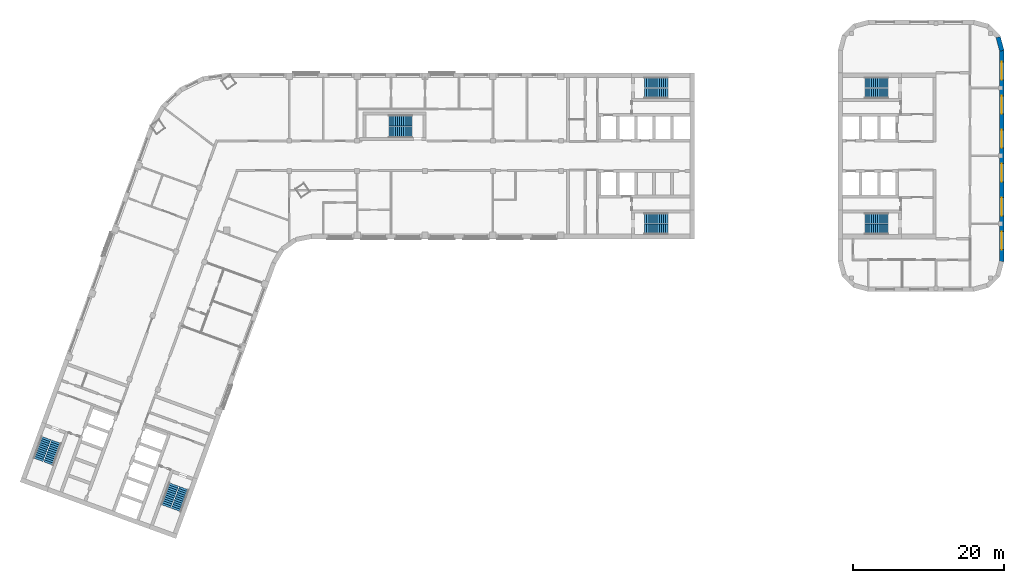
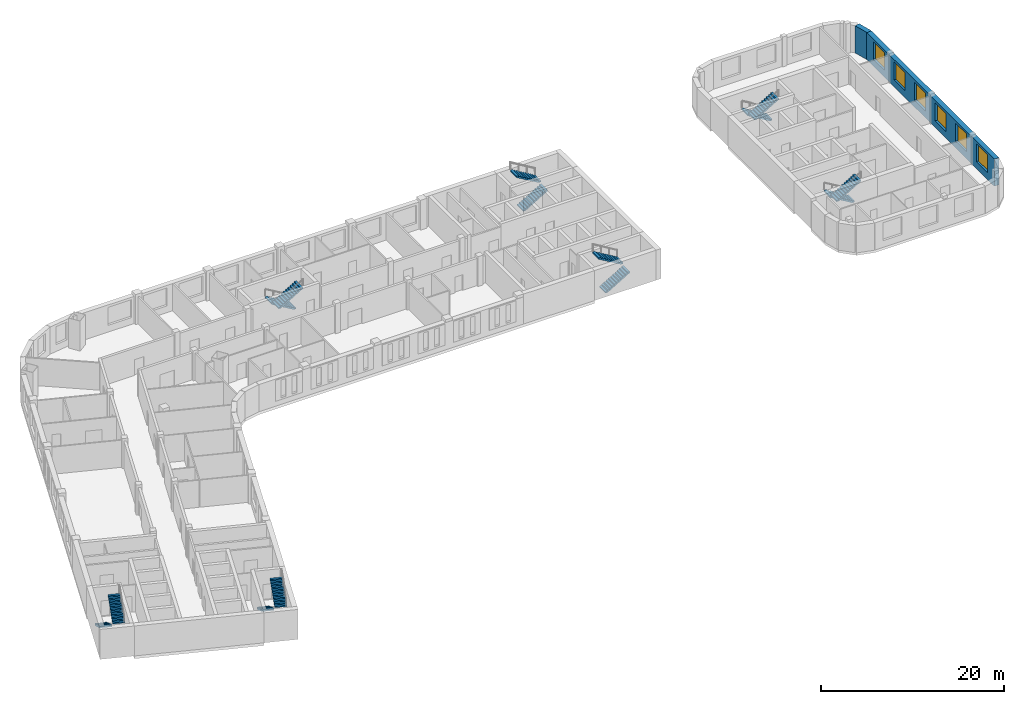
# One storey, part 9 of 10: 14 stair flights, 6 windows, 2 walls, 6 openings, 7 elements without a shape of their own.
"""IFC4 building model written with IfcOpenShell, lengths in metres."""

from ifc_helpers import new_model, si_unit, direction, frame, frame_2d, origin, place, context, subcontext, project, spatial, polyline, rectangle, outline, extrude, material, layer, layer_set, type_object, element, fill, aggregate, save


model = new_model("IFC4")

# Units and contexts
model_context = context("Model", 3, precision=1e-05, world=origin(), true_north=direction((0.0, 1.0)))
body_context = subcontext(model_context, "Body", "Model", "MODEL_VIEW")
ifc_project = project(units=[si_unit("LENGTHUNIT", "METRE"), si_unit("AREAUNIT", "SQUARE_METRE"), si_unit("VOLUMEUNIT", "CUBIC_METRE"), si_unit("PLANEANGLEUNIT", "RADIAN"), si_unit("MASSUNIT", "GRAM", prefix="KILO")], contexts=[model_context])

# Site, building, storey
site_placement = place(None, origin())
site = spatial("IfcSite", under=ifc_project, at=site_placement, CompositionType="ELEMENT")
building_placement = place(site_placement, origin())
building = spatial("IfcBuilding", under=site, at=building_placement, Name="Skarvind Civic Tower", CompositionType="ELEMENT")
storey_placement = place(building_placement, frame((0.0, 0.0, 101.0)))
storey = spatial("IfcBuildingStorey", under=building, at=storey_placement, Name="L23", CompositionType="ELEMENT", Elevation=101.0)

# Wall, openings, windows
ifc_material_1 = material(Name="Limestone masonry cladding on insulated backing", Category="masonry")
ifc_layer = layer(ifc_material_1, 0.60009765625)
ifc_layer_set = layer_set([ifc_layer], Name="WX1 STONE FACADE WALL 600")
wall_type = type_object("IfcWallType", Name="WX1 STONE FACADE WALL 600", PredefinedType="SOLIDWALL", material=ifc_layer_set)
wall_1_placement = place(storey_placement, frame((148.699951171875, 141.929931640625, 0.0), z_axis=(0.0, 0.0, 1.0), x_axis=(0.0, -1.0, 0.0)))
wall_1 = element("IfcWall", 1, at=wall_1_placement, inside=storey, type_object=wall_type, Name="STONE FACADE WALL", PredefinedType="SOLIDWALL", context=body_context, shape_type="SweptSolid", body=[
    extrude(rectangle(XDim=27.929931640625, YDim=0.60009765625, at=frame_2d((13.96484375, 0.0))), origin(), (0.0, 0.0, 1.0), 3.625),
])
opening_1_placement = place(wall_1_placement, frame((1.47998046875, 0.0, 0.89990234375)))
opening_1 = element("IfcOpeningElement", 2, at=opening_1_placement, cuts=wall_1, Name="Opening WN9", PredefinedType="OPENING", context=body_context, shape_type="SweptSolid", body=[
    extrude(rectangle(XDim=2.39990234375, YDim=2.39990234375, at=frame_2d((1.199951171875, 1.199951171875))), frame((0.0, 0.31005859375, 0.0), z_axis=(0.0, -1.0, 0.0), x_axis=(1.0, 0.0, 0.0)), (0.0, 0.0, 1.0), 0.6201171875),
])
opening_2_placement = place(wall_1_placement, frame((5.97998046875, 0.0, 0.89990234375)))
opening_2 = element("IfcOpeningElement", 3, at=opening_2_placement, cuts=wall_1, Name="Opening WN9", PredefinedType="OPENING", context=body_context, shape_type="SweptSolid", body=[
    extrude(rectangle(XDim=2.39990234375, YDim=2.39990234375, at=frame_2d((1.199951171875, 1.199951171875))), frame((0.0, 0.31005859375, 0.0), z_axis=(0.0, -1.0, 0.0), x_axis=(1.0, 0.0, 0.0)), (0.0, 0.0, 1.0), 0.6201171875),
])
opening_3_placement = place(wall_1_placement, frame((10.47998046875, 0.0, 0.89990234375)))
opening_3 = element("IfcOpeningElement", 4, at=opening_3_placement, cuts=wall_1, Name="Opening WN9", PredefinedType="OPENING", context=body_context, shape_type="SweptSolid", body=[
    extrude(rectangle(XDim=2.39990234375, YDim=2.39990234375, at=frame_2d((1.199951171875, 1.199951171875))), frame((0.0, 0.31005859375, 0.0), z_axis=(0.0, -1.0, 0.0), x_axis=(1.0, 0.0, 0.0)), (0.0, 0.0, 1.0), 0.6201171875),
])
opening_4_placement = place(wall_1_placement, frame((14.97998046875, 0.0, 0.89990234375)))
opening_4 = element("IfcOpeningElement", 5, at=opening_4_placement, cuts=wall_1, Name="Opening WN9", PredefinedType="OPENING", context=body_context, shape_type="SweptSolid", body=[
    extrude(rectangle(XDim=2.39990234375, YDim=2.39990234375, at=frame_2d((1.199951171875, 1.199951171875))), frame((0.0, 0.31005859375, 0.0), z_axis=(0.0, -1.0, 0.0), x_axis=(1.0, 0.0, 0.0)), (0.0, 0.0, 1.0), 0.6201171875),
])
opening_5_placement = place(wall_1_placement, frame((19.47998046875, 0.0, 0.89990234375)))
opening_5 = element("IfcOpeningElement", 6, at=opening_5_placement, cuts=wall_1, Name="Opening WN9", PredefinedType="OPENING", context=body_context, shape_type="SweptSolid", body=[
    extrude(rectangle(XDim=2.39990234375, YDim=2.39990234375, at=frame_2d((1.199951171875, 1.199951171875))), frame((0.0, 0.31005859375, 0.0), z_axis=(0.0, -1.0, 0.0), x_axis=(1.0, 0.0, 0.0)), (0.0, 0.0, 1.0), 0.6201171875),
])
opening_6_placement = place(wall_1_placement, frame((23.97998046875, 0.0, 0.89990234375)))
opening_6 = element("IfcOpeningElement", 7, at=opening_6_placement, cuts=wall_1, Name="Opening WN9", PredefinedType="OPENING", context=body_context, shape_type="SweptSolid", body=[
    extrude(rectangle(XDim=2.39990234375, YDim=2.39990234375, at=frame_2d((1.199951171875, 1.199951171875))), frame((0.0, 0.31005859375, 0.0), z_axis=(0.0, -1.0, 0.0), x_axis=(1.0, 0.0, 0.0)), (0.0, 0.0, 1.0), 0.6201171875),
])
ifc_material_2 = material(Name="Timber frame, double glazing, timber-lined reveal", Category="wood")
window_type = type_object("IfcWindowType", Name="WN9 COMPANION TOWER WINDOW 2400 x 2400", PartitioningType="SINGLE_PANEL", PredefinedType="WINDOW", material=ifc_material_2)
window_1_placement = place(opening_1_placement, origin())
window_1 = element("IfcWindow", 8, at=window_1_placement, inside=storey, type_object=window_type, Name="WN9 WINDOW", OverallHeight=2.39990234375, OverallWidth=2.39990234375, PartitioningType="SINGLE_PANEL", PredefinedType="WINDOW", context=body_context, shape_type="SweptSolid", body=[
    extrude(rectangle(XDim=2.39990234375, YDim=2.39990234375, at=frame_2d((1.199951171875, 1.199951171875))), frame((0.0, 0.030029296875, 0.0), z_axis=(0.0, -1.0, 0.0), x_axis=(1.0, 0.0, 0.0)), (0.0, 0.0, 1.0), 0.06005859375),
])
fill(opening_1, window_1)
window_2_placement = place(opening_2_placement, origin())
window_2 = element("IfcWindow", 9, at=window_2_placement, inside=storey, type_object=window_type, Name="WN9 WINDOW", OverallHeight=2.39990234375, OverallWidth=2.39990234375, PartitioningType="SINGLE_PANEL", PredefinedType="WINDOW", context=body_context, shape_type="SweptSolid", body=[
    extrude(rectangle(XDim=2.39990234375, YDim=2.39990234375, at=frame_2d((1.199951171875, 1.199951171875))), frame((0.0, 0.030029296875, 0.0), z_axis=(0.0, -1.0, 0.0), x_axis=(1.0, 0.0, 0.0)), (0.0, 0.0, 1.0), 0.06005859375),
])
fill(opening_2, window_2)
window_3_placement = place(opening_3_placement, origin())
window_3 = element("IfcWindow", 10, at=window_3_placement, inside=storey, type_object=window_type, Name="WN9 WINDOW", OverallHeight=2.39990234375, OverallWidth=2.39990234375, PartitioningType="SINGLE_PANEL", PredefinedType="WINDOW", context=body_context, shape_type="SweptSolid", body=[
    extrude(rectangle(XDim=2.39990234375, YDim=2.39990234375, at=frame_2d((1.199951171875, 1.199951171875))), frame((0.0, 0.030029296875, 0.0), z_axis=(0.0, -1.0, 0.0), x_axis=(1.0, 0.0, 0.0)), (0.0, 0.0, 1.0), 0.06005859375),
])
fill(opening_3, window_3)
window_4_placement = place(opening_4_placement, origin())
window_4 = element("IfcWindow", 11, at=window_4_placement, inside=storey, type_object=window_type, Name="WN9 WINDOW", OverallHeight=2.39990234375, OverallWidth=2.39990234375, PartitioningType="SINGLE_PANEL", PredefinedType="WINDOW", context=body_context, shape_type="SweptSolid", body=[
    extrude(rectangle(XDim=2.39990234375, YDim=2.39990234375, at=frame_2d((1.199951171875, 1.199951171875))), frame((0.0, 0.030029296875, 0.0), z_axis=(0.0, -1.0, 0.0), x_axis=(1.0, 0.0, 0.0)), (0.0, 0.0, 1.0), 0.06005859375),
])
fill(opening_4, window_4)
window_5_placement = place(opening_5_placement, origin())
window_5 = element("IfcWindow", 12, at=window_5_placement, inside=storey, type_object=window_type, Name="WN9 WINDOW", OverallHeight=2.39990234375, OverallWidth=2.39990234375, PartitioningType="SINGLE_PANEL", PredefinedType="WINDOW", context=body_context, shape_type="SweptSolid", body=[
    extrude(rectangle(XDim=2.39990234375, YDim=2.39990234375, at=frame_2d((1.199951171875, 1.199951171875))), frame((0.0, 0.030029296875, 0.0), z_axis=(0.0, -1.0, 0.0), x_axis=(1.0, 0.0, 0.0)), (0.0, 0.0, 1.0), 0.06005859375),
])
fill(opening_5, window_5)
window_6_placement = place(opening_6_placement, origin())
window_6 = element("IfcWindow", 13, at=window_6_placement, inside=storey, type_object=window_type, Name="WN9 WINDOW", OverallHeight=2.39990234375, OverallWidth=2.39990234375, PartitioningType="SINGLE_PANEL", PredefinedType="WINDOW", context=body_context, shape_type="SweptSolid", body=[
    extrude(rectangle(XDim=2.39990234375, YDim=2.39990234375, at=frame_2d((1.199951171875, 1.199951171875))), frame((0.0, 0.030029296875, 0.0), z_axis=(0.0, -1.0, 0.0), x_axis=(1.0, 0.0, 0.0)), (0.0, 0.0, 1.0), 0.06005859375),
])
fill(opening_6, window_6)

# Wall
wall_2_placement = place(storey_placement, frame((148.228759765625, 143.719482421875, 0.0), z_axis=(0.0, 0.0, 1.0), x_axis=(0.258773254036, -0.965938094805, 0.0)))
element("IfcWall", 14, at=wall_2_placement, inside=storey, type_object=wall_type, Name="STONE FACADE WALL", PredefinedType="SOLIDWALL", context=body_context, shape_type="SweptSolid", body=[
    extrude(rectangle(XDim=1.860595703125, YDim=0.60009765625, at=frame_2d((0.93017578125, 0.0))), origin(), (0.0, 0.0, 1.0), 3.625),
])

# Stair, stair flights
ifc_material_3 = material(Name="Concrete C40/50", Category="concrete")
stair_type_1 = type_object("IfcStairType", Name="Exit stair 1450, half-turn, concrete", PredefinedType="HALF_TURN_STAIR", material=ifc_material_3)
stair_1_placement = place(storey_placement, origin())
stair_1 = element("IfcStair", 15, at=stair_1_placement, inside=storey, type_object=stair_type_1, Name="Exit stair CM", PredefinedType="HALF_TURN_STAIR")
stair_flight_type_1 = type_object("IfcStairFlightType", Name="Stair flight 1450, concrete", PredefinedType="STRAIGHT", material=ifc_material_3)
stair_flight_1_placement = place(storey_placement, frame((70.550048828125, 132.675048828125, 0.0), z_axis=(0.0, 0.0, 1.0), x_axis=(-1.0, 0.0, 0.0)))
stair_flight_1 = element("IfcStairFlight", 16, at=stair_flight_1_placement, type_object=stair_flight_type_1, Name="ST-CM flight 1", NumberOfRisers=12, NumberOfTreads=11, PredefinedType="STRAIGHT", RiserHeight=0.166666667, TreadLength=0.28, context=body_context, shape_type="SweptSolid", body=[
    extrude(outline(polyline([(0.0, 0.0), (0.0, 0.166748046875), (0.280029296875, 0.166748046875), (0.280029296875, 0.333251953125), (0.56005859375, 0.333251953125), (0.56005859375, 0.5), (0.840087890625, 0.5), (0.840087890625, 0.666748046875), (1.1201171875, 0.666748046875), (1.1201171875, 0.833251953125), (1.39990234375, 0.833251953125), (1.39990234375, 1.0), (1.679931640625, 1.0), (1.679931640625, 1.166748046875), (1.9599609375, 1.166748046875), (1.9599609375, 1.333251953125), (2.239990234375, 1.333251953125), (2.239990234375, 1.5), (2.52001953125, 1.5), (2.52001953125, 1.666748046875), (2.800048828125, 1.666748046875), (2.800048828125, 1.833251953125), (3.080078125, 1.833251953125), (3.080078125, 2.0), (3.080078125, 1.658935546875), (0.29296875, 0.0), (0.0, 0.0)])), frame((0.0, 0.72509765625, 0.0), z_axis=(0.0, -1.0, 0.0), x_axis=(1.0, 0.0, 0.0)), (0.0, 0.0, 1.0), 1.449951171875),
])
stair_flight_2_placement = place(storey_placement, frame((67.469970703125, 131.125, 2.0), z_axis=(0.0, 0.0, 1.0), x_axis=(1.0, 0.0, 0.0)))
stair_flight_2 = element("IfcStairFlight", 17, at=stair_flight_2_placement, type_object=stair_flight_type_1, Name="ST-CM flight 2", NumberOfRisers=12, NumberOfTreads=11, PredefinedType="STRAIGHT", RiserHeight=0.166666667, TreadLength=0.28, context=body_context, shape_type="SweptSolid", body=[
    extrude(outline(polyline([(0.0, 0.0), (0.0, 0.166748046875), (0.280029296875, 0.166748046875), (0.280029296875, 0.333251953125), (0.56005859375, 0.333251953125), (0.56005859375, 0.5), (0.840087890625, 0.5), (0.840087890625, 0.666748046875), (1.1201171875, 0.666748046875), (1.1201171875, 0.833251953125), (1.39990234375, 0.833251953125), (1.39990234375, 1.0), (1.679931640625, 1.0), (1.679931640625, 1.166748046875), (1.9599609375, 1.166748046875), (1.9599609375, 1.333251953125), (2.239990234375, 1.333251953125), (2.239990234375, 1.5), (2.52001953125, 1.5), (2.52001953125, 1.666748046875), (2.800048828125, 1.666748046875), (2.800048828125, 1.833251953125), (3.080078125, 1.833251953125), (3.080078125, 2.0), (3.080078125, 1.658935546875), (0.29296875, 0.0), (0.0, 0.0)])), frame((0.0, 0.72509765625, 0.0), z_axis=(0.0, -1.0, 0.0), x_axis=(1.0, 0.0, 0.0)), (0.0, 0.0, 1.0), 1.449951171875),
])
aggregate(stair_1, [stair_flight_1, stair_flight_2])

stair_type_2 = type_object("IfcStairType", Name="Exit stair, half-turn, concrete", PredefinedType="HALF_TURN_STAIR", material=ifc_material_3)
stair_2_placement = place(storey_placement, origin())
stair_2 = element("IfcStair", 18, at=stair_2_placement, inside=storey, type_object=stair_type_2, Name="Exit stair C1S", PredefinedType="HALF_TURN_STAIR")
stair_flight_type_2 = type_object("IfcStairFlightType", Name="Stair flight, concrete", PredefinedType="STRAIGHT", material=ifc_material_3)
stair_flight_3_placement = place(storey_placement, frame((101.35009765625, 136.27490234375, 0.0), z_axis=(0.0, 0.0, 1.0), x_axis=(1.0, 0.0, 0.0)))
stair_flight_3 = element("IfcStairFlight", 19, at=stair_flight_3_placement, type_object=stair_flight_type_2, Name="ST-C1S flight 1", NumberOfRisers=12, NumberOfTreads=11, PredefinedType="STRAIGHT", RiserHeight=0.166666667, TreadLength=0.28, context=body_context, shape_type="SweptSolid", body=[
    extrude(outline(polyline([(0.0, 0.0), (0.0, 0.166748046875), (0.280029296875, 0.166748046875), (0.280029296875, 0.333251953125), (0.56005859375, 0.333251953125), (0.56005859375, 0.5), (0.840087890625, 0.5), (0.840087890625, 0.666748046875), (1.1201171875, 0.666748046875), (1.1201171875, 0.833251953125), (1.39990234375, 0.833251953125), (1.39990234375, 1.0), (1.679931640625, 1.0), (1.679931640625, 1.166748046875), (1.9599609375, 1.166748046875), (1.9599609375, 1.333251953125), (2.239990234375, 1.333251953125), (2.239990234375, 1.5), (2.52001953125, 1.5), (2.52001953125, 1.666748046875), (2.800048828125, 1.666748046875), (2.800048828125, 1.833251953125), (3.080078125, 1.833251953125), (3.080078125, 2.0), (3.080078125, 1.658935546875), (0.29296875, 0.0), (0.0, 0.0)])), frame((0.0, 0.675048828125, 0.0), z_axis=(0.0, -1.0, 0.0), x_axis=(1.0, 0.0, 0.0)), (0.0, 0.0, 1.0), 1.35009765625),
])
stair_flight_4_placement = place(storey_placement, frame((104.429931640625, 137.72509765625, 2.0), z_axis=(0.0, 0.0, 1.0), x_axis=(-1.0, 0.0, 0.0)))
stair_flight_4 = element("IfcStairFlight", 20, at=stair_flight_4_placement, type_object=stair_flight_type_2, Name="ST-C1S flight 2", NumberOfRisers=12, NumberOfTreads=11, PredefinedType="STRAIGHT", RiserHeight=0.166666667, TreadLength=0.28, context=body_context, shape_type="SweptSolid", body=[
    extrude(outline(polyline([(0.0, 0.0), (0.0, 0.166748046875), (0.280029296875, 0.166748046875), (0.280029296875, 0.333251953125), (0.56005859375, 0.333251953125), (0.56005859375, 0.5), (0.840087890625, 0.5), (0.840087890625, 0.666748046875), (1.1201171875, 0.666748046875), (1.1201171875, 0.833251953125), (1.39990234375, 0.833251953125), (1.39990234375, 1.0), (1.679931640625, 1.0), (1.679931640625, 1.166748046875), (1.9599609375, 1.166748046875), (1.9599609375, 1.333251953125), (2.239990234375, 1.333251953125), (2.239990234375, 1.5), (2.52001953125, 1.5), (2.52001953125, 1.666748046875), (2.800048828125, 1.666748046875), (2.800048828125, 1.833251953125), (3.080078125, 1.833251953125), (3.080078125, 2.0), (3.080078125, 1.658935546875), (0.29296875, 0.0), (0.0, 0.0)])), frame((0.0, 0.675048828125, 0.0), z_axis=(0.0, -1.0, 0.0), x_axis=(1.0, 0.0, 0.0)), (0.0, 0.0, 1.0), 1.35009765625),
])
aggregate(stair_2, [stair_flight_3, stair_flight_4])

stair_3_placement = place(storey_placement, origin())
stair_3 = element("IfcStair", 21, at=stair_3_placement, inside=storey, type_object=stair_type_2, Name="Exit stair C1N", PredefinedType="HALF_TURN_STAIR")
stair_flight_5_placement = place(storey_placement, frame((101.35009765625, 118.27490234375, 0.0), z_axis=(0.0, 0.0, 1.0), x_axis=(1.0, 0.0, 0.0)))
stair_flight_5 = element("IfcStairFlight", 22, at=stair_flight_5_placement, type_object=stair_flight_type_2, Name="ST-C1N flight 1", NumberOfRisers=12, NumberOfTreads=11, PredefinedType="STRAIGHT", RiserHeight=0.166666667, TreadLength=0.28, context=body_context, shape_type="SweptSolid", body=[
    extrude(outline(polyline([(0.0, 0.0), (0.0, 0.166748046875), (0.280029296875, 0.166748046875), (0.280029296875, 0.333251953125), (0.56005859375, 0.333251953125), (0.56005859375, 0.5), (0.840087890625, 0.5), (0.840087890625, 0.666748046875), (1.1201171875, 0.666748046875), (1.1201171875, 0.833251953125), (1.39990234375, 0.833251953125), (1.39990234375, 1.0), (1.679931640625, 1.0), (1.679931640625, 1.166748046875), (1.9599609375, 1.166748046875), (1.9599609375, 1.333251953125), (2.239990234375, 1.333251953125), (2.239990234375, 1.5), (2.52001953125, 1.5), (2.52001953125, 1.666748046875), (2.800048828125, 1.666748046875), (2.800048828125, 1.833251953125), (3.080078125, 1.833251953125), (3.080078125, 2.0), (3.080078125, 1.658935546875), (0.29296875, 0.0), (0.0, 0.0)])), frame((0.0, 0.675048828125, 0.0), z_axis=(0.0, -1.0, 0.0), x_axis=(1.0, 0.0, 0.0)), (0.0, 0.0, 1.0), 1.35009765625),
])
stair_flight_6_placement = place(storey_placement, frame((104.429931640625, 119.72509765625, 2.0), z_axis=(0.0, 0.0, 1.0), x_axis=(-1.0, 0.0, 0.0)))
stair_flight_6 = element("IfcStairFlight", 23, at=stair_flight_6_placement, type_object=stair_flight_type_2, Name="ST-C1N flight 2", NumberOfRisers=12, NumberOfTreads=11, PredefinedType="STRAIGHT", RiserHeight=0.166666667, TreadLength=0.28, context=body_context, shape_type="SweptSolid", body=[
    extrude(outline(polyline([(0.0, 0.0), (0.0, 0.166748046875), (0.280029296875, 0.166748046875), (0.280029296875, 0.333251953125), (0.56005859375, 0.333251953125), (0.56005859375, 0.5), (0.840087890625, 0.5), (0.840087890625, 0.666748046875), (1.1201171875, 0.666748046875), (1.1201171875, 0.833251953125), (1.39990234375, 0.833251953125), (1.39990234375, 1.0), (1.679931640625, 1.0), (1.679931640625, 1.166748046875), (1.9599609375, 1.166748046875), (1.9599609375, 1.333251953125), (2.239990234375, 1.333251953125), (2.239990234375, 1.5), (2.52001953125, 1.5), (2.52001953125, 1.666748046875), (2.800048828125, 1.666748046875), (2.800048828125, 1.833251953125), (3.080078125, 1.833251953125), (3.080078125, 2.0), (3.080078125, 1.658935546875), (0.29296875, 0.0), (0.0, 0.0)])), frame((0.0, 0.675048828125, 0.0), z_axis=(0.0, -1.0, 0.0), x_axis=(1.0, 0.0, 0.0)), (0.0, 0.0, 1.0), 1.35009765625),
])
aggregate(stair_3, [stair_flight_5, stair_flight_6])

stair_4_placement = place(storey_placement, origin())
stair_4 = element("IfcStair", 24, at=stair_4_placement, inside=storey, type_object=stair_type_2, Name="Exit stair C2S", PredefinedType="HALF_TURN_STAIR")
stair_flight_7_placement = place(storey_placement, frame((38.949462890625, 84.43408203125, 0.0), z_axis=(0.0, 0.0, 1.0), x_axis=(-0.342020143326, -0.939692620786, 0.0)))
stair_flight_7 = element("IfcStairFlight", 25, at=stair_flight_7_placement, type_object=stair_flight_type_2, Name="ST-C2S flight 1", NumberOfRisers=12, NumberOfTreads=11, PredefinedType="STRAIGHT", RiserHeight=0.166666667, TreadLength=0.28, context=body_context, shape_type="SweptSolid", body=[
    extrude(outline(polyline([(0.0, 0.0), (0.0, 0.166748046875), (0.280029296875, 0.166748046875), (0.280029296875, 0.333251953125), (0.56005859375, 0.333251953125), (0.56005859375, 0.5), (0.840087890625, 0.5), (0.840087890625, 0.666748046875), (1.1201171875, 0.666748046875), (1.1201171875, 0.833251953125), (1.39990234375, 0.833251953125), (1.39990234375, 1.0), (1.679931640625, 1.0), (1.679931640625, 1.166748046875), (1.9599609375, 1.166748046875), (1.9599609375, 1.333251953125), (2.239990234375, 1.333251953125), (2.239990234375, 1.5), (2.52001953125, 1.5), (2.52001953125, 1.666748046875), (2.800048828125, 1.666748046875), (2.800048828125, 1.833251953125), (3.080078125, 1.833251953125), (3.080078125, 2.0), (3.080078125, 1.658935546875), (0.29296875, 0.0), (0.0, 0.0)])), frame((0.0, 0.675048828125, 0.0), z_axis=(0.0, -1.0, 0.0), x_axis=(1.0, 0.0, 0.0)), (0.0, 0.0, 1.0), 1.35009765625),
])
stair_flight_8_placement = place(storey_placement, frame((39.258544921875, 81.0439453125, 2.0), z_axis=(0.0, 0.0, 1.0), x_axis=(0.342020143326, 0.939692620786, 0.0)))
stair_flight_8 = element("IfcStairFlight", 26, at=stair_flight_8_placement, type_object=stair_flight_type_2, Name="ST-C2S flight 2", NumberOfRisers=12, NumberOfTreads=11, PredefinedType="STRAIGHT", RiserHeight=0.166666667, TreadLength=0.28, context=body_context, shape_type="SweptSolid", body=[
    extrude(outline(polyline([(0.0, 0.0), (0.0, 0.166748046875), (0.280029296875, 0.166748046875), (0.280029296875, 0.333251953125), (0.56005859375, 0.333251953125), (0.56005859375, 0.5), (0.840087890625, 0.5), (0.840087890625, 0.666748046875), (1.1201171875, 0.666748046875), (1.1201171875, 0.833251953125), (1.39990234375, 0.833251953125), (1.39990234375, 1.0), (1.679931640625, 1.0), (1.679931640625, 1.166748046875), (1.9599609375, 1.166748046875), (1.9599609375, 1.333251953125), (2.239990234375, 1.333251953125), (2.239990234375, 1.5), (2.52001953125, 1.5), (2.52001953125, 1.666748046875), (2.800048828125, 1.666748046875), (2.800048828125, 1.833251953125), (3.080078125, 1.833251953125), (3.080078125, 2.0), (3.080078125, 1.658935546875), (0.29296875, 0.0), (0.0, 0.0)])), frame((0.0, 0.675048828125, 0.0), z_axis=(0.0, -1.0, 0.0), x_axis=(1.0, 0.0, 0.0)), (0.0, 0.0, 1.0), 1.35009765625),
])
aggregate(stair_4, [stair_flight_7, stair_flight_8])

stair_5_placement = place(storey_placement, origin())
stair_5 = element("IfcStair", 27, at=stair_5_placement, inside=storey, type_object=stair_type_2, Name="Exit stair C2N", PredefinedType="HALF_TURN_STAIR")
stair_flight_9_placement = place(storey_placement, frame((22.034912109375, 90.590576171875, 0.0), z_axis=(0.0, 0.0, 1.0), x_axis=(-0.342020143326, -0.939692620786, 0.0)))
stair_flight_9 = element("IfcStairFlight", 28, at=stair_flight_9_placement, type_object=stair_flight_type_2, Name="ST-C2N flight 1", NumberOfRisers=12, NumberOfTreads=11, PredefinedType="STRAIGHT", RiserHeight=0.166666667, TreadLength=0.28, context=body_context, shape_type="SweptSolid", body=[
    extrude(outline(polyline([(0.0, 0.0), (0.0, 0.166748046875), (0.280029296875, 0.166748046875), (0.280029296875, 0.333251953125), (0.56005859375, 0.333251953125), (0.56005859375, 0.5), (0.840087890625, 0.5), (0.840087890625, 0.666748046875), (1.1201171875, 0.666748046875), (1.1201171875, 0.833251953125), (1.39990234375, 0.833251953125), (1.39990234375, 1.0), (1.679931640625, 1.0), (1.679931640625, 1.166748046875), (1.9599609375, 1.166748046875), (1.9599609375, 1.333251953125), (2.239990234375, 1.333251953125), (2.239990234375, 1.5), (2.52001953125, 1.5), (2.52001953125, 1.666748046875), (2.800048828125, 1.666748046875), (2.800048828125, 1.833251953125), (3.080078125, 1.833251953125), (3.080078125, 2.0), (3.080078125, 1.658935546875), (0.29296875, 0.0), (0.0, 0.0)])), frame((0.0, 0.675048828125, 0.0), z_axis=(0.0, -1.0, 0.0), x_axis=(1.0, 0.0, 0.0)), (0.0, 0.0, 1.0), 1.35009765625),
])
stair_flight_10_placement = place(storey_placement, frame((22.343994140625, 87.2001953125, 2.0), z_axis=(0.0, 0.0, 1.0), x_axis=(0.342020143326, 0.939692620786, 0.0)))
stair_flight_10 = element("IfcStairFlight", 29, at=stair_flight_10_placement, type_object=stair_flight_type_2, Name="ST-C2N flight 2", NumberOfRisers=12, NumberOfTreads=11, PredefinedType="STRAIGHT", RiserHeight=0.166666667, TreadLength=0.28, context=body_context, shape_type="SweptSolid", body=[
    extrude(outline(polyline([(0.0, 0.0), (0.0, 0.166748046875), (0.280029296875, 0.166748046875), (0.280029296875, 0.333251953125), (0.56005859375, 0.333251953125), (0.56005859375, 0.5), (0.840087890625, 0.5), (0.840087890625, 0.666748046875), (1.1201171875, 0.666748046875), (1.1201171875, 0.833251953125), (1.39990234375, 0.833251953125), (1.39990234375, 1.0), (1.679931640625, 1.0), (1.679931640625, 1.166748046875), (1.9599609375, 1.166748046875), (1.9599609375, 1.333251953125), (2.239990234375, 1.333251953125), (2.239990234375, 1.5), (2.52001953125, 1.5), (2.52001953125, 1.666748046875), (2.800048828125, 1.666748046875), (2.800048828125, 1.833251953125), (3.080078125, 1.833251953125), (3.080078125, 2.0), (3.080078125, 1.658935546875), (0.29296875, 0.0), (0.0, 0.0)])), frame((0.0, 0.675048828125, 0.0), z_axis=(0.0, -1.0, 0.0), x_axis=(1.0, 0.0, 0.0)), (0.0, 0.0, 1.0), 1.35009765625),
])
aggregate(stair_5, [stair_flight_9, stair_flight_10])

stair_6_placement = place(storey_placement, origin())
stair_6 = element("IfcStair", 30, at=stair_6_placement, inside=storey, type_object=stair_type_2, Name="Exit stair CAS", PredefinedType="HALF_TURN_STAIR")
stair_flight_11_placement = place(storey_placement, frame((133.64990234375, 119.72509765625, 0.0), z_axis=(0.0, 0.0, 1.0), x_axis=(-1.0, 0.0, 0.0)))
stair_flight_11 = element("IfcStairFlight", 31, at=stair_flight_11_placement, type_object=stair_flight_type_2, Name="ST-CAS flight 1", NumberOfRisers=12, NumberOfTreads=11, PredefinedType="STRAIGHT", RiserHeight=0.166666667, TreadLength=0.28, context=body_context, shape_type="SweptSolid", body=[
    extrude(outline(polyline([(0.0, 0.0), (0.0, 0.166748046875), (0.280029296875, 0.166748046875), (0.280029296875, 0.333251953125), (0.56005859375, 0.333251953125), (0.56005859375, 0.5), (0.840087890625, 0.5), (0.840087890625, 0.666748046875), (1.1201171875, 0.666748046875), (1.1201171875, 0.833251953125), (1.39990234375, 0.833251953125), (1.39990234375, 1.0), (1.679931640625, 1.0), (1.679931640625, 1.166748046875), (1.9599609375, 1.166748046875), (1.9599609375, 1.333251953125), (2.239990234375, 1.333251953125), (2.239990234375, 1.5), (2.52001953125, 1.5), (2.52001953125, 1.666748046875), (2.800048828125, 1.666748046875), (2.800048828125, 1.833251953125), (3.080078125, 1.833251953125), (3.080078125, 2.0), (3.080078125, 1.658935546875), (0.29296875, 0.0), (0.0, 0.0)])), frame((0.0, 0.675048828125, 0.0), z_axis=(0.0, -1.0, 0.0), x_axis=(1.0, 0.0, 0.0)), (0.0, 0.0, 1.0), 1.35009765625),
])
stair_flight_12_placement = place(storey_placement, frame((130.570068359375, 118.27490234375, 2.0), z_axis=(0.0, 0.0, 1.0), x_axis=(1.0, 0.0, 0.0)))
stair_flight_12 = element("IfcStairFlight", 32, at=stair_flight_12_placement, type_object=stair_flight_type_2, Name="ST-CAS flight 2", NumberOfRisers=12, NumberOfTreads=11, PredefinedType="STRAIGHT", RiserHeight=0.166666667, TreadLength=0.28, context=body_context, shape_type="SweptSolid", body=[
    extrude(outline(polyline([(0.0, 0.0), (0.0, 0.166748046875), (0.280029296875, 0.166748046875), (0.280029296875, 0.333251953125), (0.56005859375, 0.333251953125), (0.56005859375, 0.5), (0.840087890625, 0.5), (0.840087890625, 0.666748046875), (1.1201171875, 0.666748046875), (1.1201171875, 0.833251953125), (1.39990234375, 0.833251953125), (1.39990234375, 1.0), (1.679931640625, 1.0), (1.679931640625, 1.166748046875), (1.9599609375, 1.166748046875), (1.9599609375, 1.333251953125), (2.239990234375, 1.333251953125), (2.239990234375, 1.5), (2.52001953125, 1.5), (2.52001953125, 1.666748046875), (2.800048828125, 1.666748046875), (2.800048828125, 1.833251953125), (3.080078125, 1.833251953125), (3.080078125, 2.0), (3.080078125, 1.658935546875), (0.29296875, 0.0), (0.0, 0.0)])), frame((0.0, 0.675048828125, 0.0), z_axis=(0.0, -1.0, 0.0), x_axis=(1.0, 0.0, 0.0)), (0.0, 0.0, 1.0), 1.35009765625),
])
aggregate(stair_6, [stair_flight_11, stair_flight_12])

stair_7_placement = place(storey_placement, origin())
stair_7 = element("IfcStair", 33, at=stair_7_placement, inside=storey, type_object=stair_type_2, Name="Exit stair CAN", PredefinedType="HALF_TURN_STAIR")
stair_flight_13_placement = place(storey_placement, frame((133.64990234375, 137.72509765625, 0.0), z_axis=(0.0, 0.0, 1.0), x_axis=(-1.0, 0.0, 0.0)))
stair_flight_13 = element("IfcStairFlight", 34, at=stair_flight_13_placement, type_object=stair_flight_type_2, Name="ST-CAN flight 1", NumberOfRisers=12, NumberOfTreads=11, PredefinedType="STRAIGHT", RiserHeight=0.166666667, TreadLength=0.28, context=body_context, shape_type="SweptSolid", body=[
    extrude(outline(polyline([(0.0, 0.0), (0.0, 0.166748046875), (0.280029296875, 0.166748046875), (0.280029296875, 0.333251953125), (0.56005859375, 0.333251953125), (0.56005859375, 0.5), (0.840087890625, 0.5), (0.840087890625, 0.666748046875), (1.1201171875, 0.666748046875), (1.1201171875, 0.833251953125), (1.39990234375, 0.833251953125), (1.39990234375, 1.0), (1.679931640625, 1.0), (1.679931640625, 1.166748046875), (1.9599609375, 1.166748046875), (1.9599609375, 1.333251953125), (2.239990234375, 1.333251953125), (2.239990234375, 1.5), (2.52001953125, 1.5), (2.52001953125, 1.666748046875), (2.800048828125, 1.666748046875), (2.800048828125, 1.833251953125), (3.080078125, 1.833251953125), (3.080078125, 2.0), (3.080078125, 1.658935546875), (0.29296875, 0.0), (0.0, 0.0)])), frame((0.0, 0.675048828125, 0.0), z_axis=(0.0, -1.0, 0.0), x_axis=(1.0, 0.0, 0.0)), (0.0, 0.0, 1.0), 1.35009765625),
])
stair_flight_14_placement = place(storey_placement, frame((130.570068359375, 136.27490234375, 2.0), z_axis=(0.0, 0.0, 1.0), x_axis=(1.0, 0.0, 0.0)))
stair_flight_14 = element("IfcStairFlight", 35, at=stair_flight_14_placement, type_object=stair_flight_type_2, Name="ST-CAN flight 2", NumberOfRisers=12, NumberOfTreads=11, PredefinedType="STRAIGHT", RiserHeight=0.166666667, TreadLength=0.28, context=body_context, shape_type="SweptSolid", body=[
    extrude(outline(polyline([(0.0, 0.0), (0.0, 0.166748046875), (0.280029296875, 0.166748046875), (0.280029296875, 0.333251953125), (0.56005859375, 0.333251953125), (0.56005859375, 0.5), (0.840087890625, 0.5), (0.840087890625, 0.666748046875), (1.1201171875, 0.666748046875), (1.1201171875, 0.833251953125), (1.39990234375, 0.833251953125), (1.39990234375, 1.0), (1.679931640625, 1.0), (1.679931640625, 1.166748046875), (1.9599609375, 1.166748046875), (1.9599609375, 1.333251953125), (2.239990234375, 1.333251953125), (2.239990234375, 1.5), (2.52001953125, 1.5), (2.52001953125, 1.666748046875), (2.800048828125, 1.666748046875), (2.800048828125, 1.833251953125), (3.080078125, 1.833251953125), (3.080078125, 2.0), (3.080078125, 1.658935546875), (0.29296875, 0.0), (0.0, 0.0)])), frame((0.0, 0.675048828125, 0.0), z_axis=(0.0, -1.0, 0.0), x_axis=(1.0, 0.0, 0.0)), (0.0, 0.0, 1.0), 1.35009765625),
])
aggregate(stair_7, [stair_flight_13, stair_flight_14])

save(model, "model.ifc")
